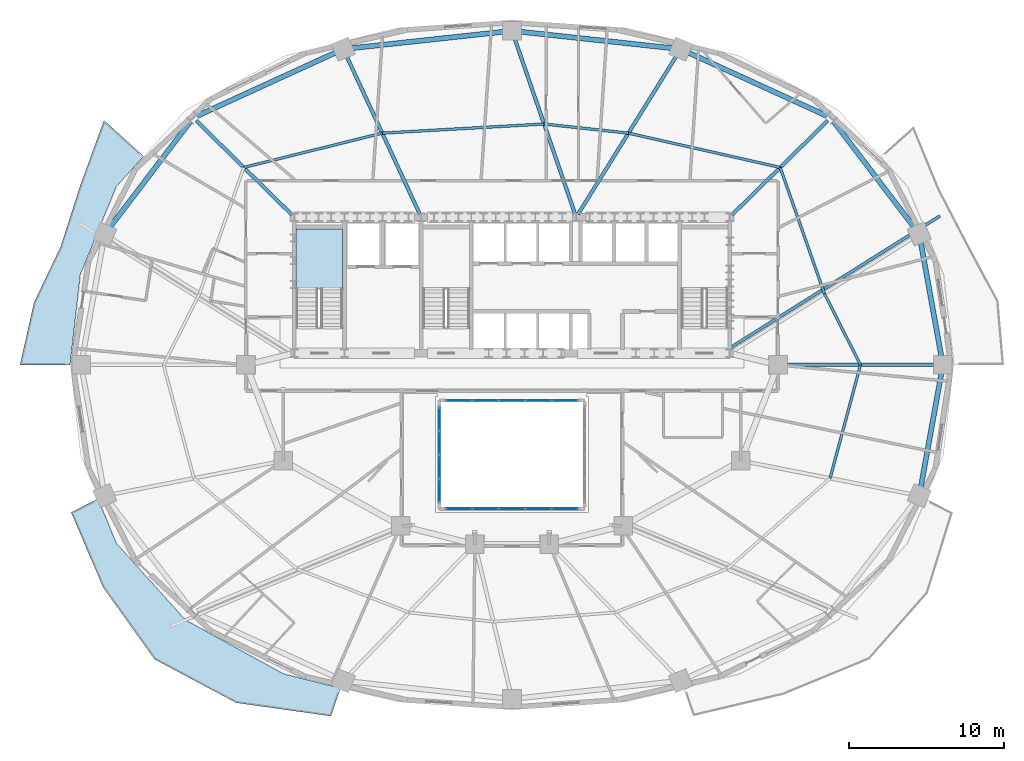
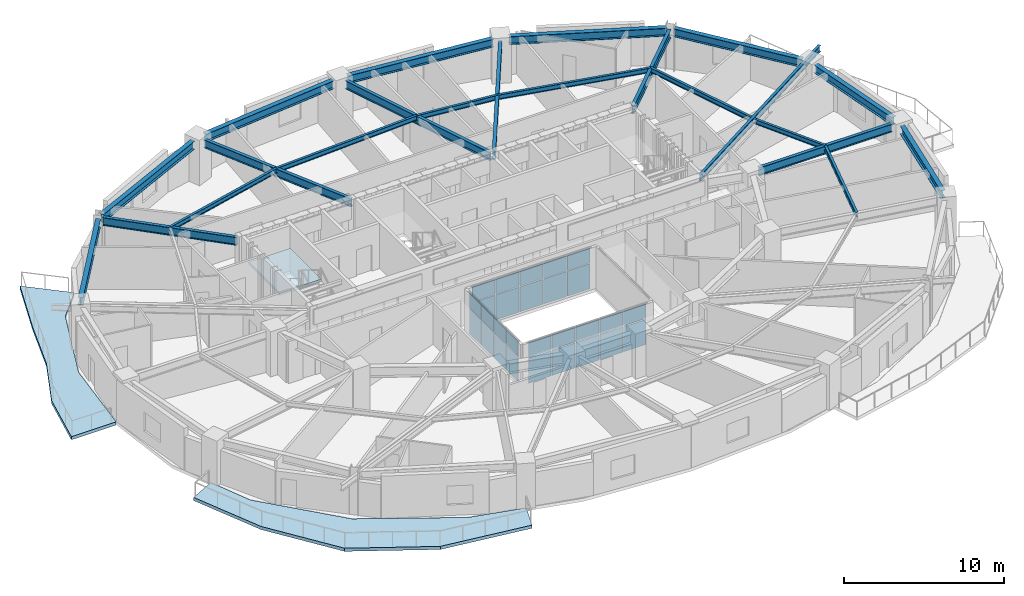
# One storey, part 5 of 14: 28 plates, 22 beams, 3 slabs, 4 elements without a shape of their own.
"""IFC4 building model written with IfcOpenShell, lengths in metres."""

from ifc_helpers import new_model, si_unit, direction, frame, origin, origin_2d, place, context, subcontext, project, spatial, polyline, rectangle, i_section, outline, extrude, material, layer, layer_set, material_profile, profile_set, type_object, element, aggregate, save


model = new_model("IFC4")

# Units and contexts
model_context = context("Model", 3, precision=1e-05, world=origin(), true_north=direction((0.0, 1.0)))
body_context = subcontext(model_context, "Body", "Model", "MODEL_VIEW")
ifc_project = project(units=[si_unit("LENGTHUNIT", "METRE"), si_unit("AREAUNIT", "SQUARE_METRE"), si_unit("VOLUMEUNIT", "CUBIC_METRE"), si_unit("PLANEANGLEUNIT", "RADIAN"), si_unit("MASSUNIT", "GRAM", prefix="KILO")], contexts=[model_context])

# Site, building, storey
site_placement = place(None, origin())
site = spatial("IfcSite", under=ifc_project, at=site_placement, CompositionType="ELEMENT")
building_placement = place(site_placement, origin())
building = spatial("IfcBuilding", under=site, at=building_placement, Name="Haldorwick Loom Tower", CompositionType="ELEMENT")
storey_placement = place(building_placement, frame((0.0, 0.0, 99.050048828125)))
storey = spatial("IfcBuildingStorey", under=building, at=storey_placement, Name="L26", CompositionType="ELEMENT", Elevation=99.050048828125)

# Beams
ifc_material_1 = material(Name="Steel CSA G40.21 350W", Category="steel")
ifc_material_profile_1 = material_profile(ifc_material_1, i_section(OverallWidth=0.193115234375, OverallDepth=0.466064453125, WebThickness=0.011474609375, FlangeThickness=0.01904296875, at=origin_2d()), Name="W460X97", Category="steel")
ifc_profile_set_1 = profile_set([ifc_material_profile_1], Name="Steel CSA G40.21 350W")
beam_type_1 = type_object("IfcBeamType", Name="STR-BM-BAL460", PredefinedType="BEAM", material=ifc_profile_set_1)
beam_1_placement = place(storey_placement, frame((50.111572265625, 27.106689453125, 2.97705078125), z_axis=(0.846609845451, 0.532214026108, 0.0), x_axis=(-0.532214026108, 0.846609845451, 0.0)))
element("IfcBeam", 1, at=beam_1_placement, inside=storey, type_object=beam_type_1, Name="L26 Continuous Back-Spanned Balcony Beam 4", PredefinedType="BEAM", context=body_context, shape_type="SweptSolid", body=[
    extrude(i_section(OverallWidth=0.193115234375, OverallDepth=0.466064453125, WebThickness=0.011474609375, FlangeThickness=0.01904296875, at=origin_2d()), origin(), (0.0, 0.0, 1.0), 16.0068359375),
])
ifc_material_profile_2 = material_profile(ifc_material_1, i_section(OverallWidth=0.172119140625, OverallDepth=0.35791015625, WebThickness=0.0078125, FlangeThickness=0.01318359375, at=origin_2d()), Name="W360X57", Category="steel")
ifc_profile_set_2 = profile_set([ifc_material_profile_2], Name="Steel CSA G40.21 350W")
beam_type_2 = type_object("IfcBeamType", Name="STR-BM-J360", PredefinedType="JOIST", material=ifc_profile_set_2)
beam_2_placement = place(storey_placement, frame((58.52880859375, 26.0, 3.031005859375), z_axis=(-0.451373231558, 0.892335254169, 0.0), x_axis=(-0.892335254169, -0.451373231558, 0.0)))
element("IfcBeam", 2, at=beam_2_placement, inside=storey, type_object=beam_type_2, Name="L26 Mid-Bay Secondary Joist 1", PredefinedType="JOIST", context=body_context, shape_type="SweptSolid", body=[
    extrude(i_section(OverallWidth=0.172119140625, OverallDepth=0.35791015625, WebThickness=0.0078125, FlangeThickness=0.01318359375, at=origin_2d()), origin(), (0.0, 0.0, 1.0), 5.158935546875),
])
beam_3_placement = place(storey_placement, frame((56.2001953125, 30.603515625, 3.031005859375), z_axis=(-0.330864603503, 0.943678236556, 0.0), x_axis=(-0.943678236556, -0.330864603503, 0.0)))
element("IfcBeam", 3, at=beam_3_placement, inside=storey, type_object=beam_type_2, Name="L26 Mid-Bay Secondary Joist 2", PredefinedType="JOIST", context=body_context, shape_type="SweptSolid", body=[
    extrude(i_section(OverallWidth=0.172119140625, OverallDepth=0.35791015625, WebThickness=0.0078125, FlangeThickness=0.01318359375, at=origin_2d()), origin(), (0.0, 0.0, 1.0), 8.6494140625),
])
beam_4_placement = place(storey_placement, frame((53.33837890625, 38.765869140625, 3.031005859375), z_axis=(-0.975380231772, 0.22052982444, 0.0), x_axis=(-0.22052982444, -0.975380231772, 0.0)))
element("IfcBeam", 4, at=beam_4_placement, inside=storey, type_object=beam_type_2, Name="L26 Mid-Bay Secondary Joist 3", PredefinedType="JOIST", context=body_context, shape_type="SweptSolid", body=[
    extrude(i_section(OverallWidth=0.172119140625, OverallDepth=0.35791015625, WebThickness=0.0078125, FlangeThickness=0.01318359375, at=origin_2d()), origin(), (0.0, 0.0, 1.0), 10.0576171875),
])
beam_5_placement = place(storey_placement, frame((43.5283203125, 40.98388671875, 3.031005859375), z_axis=(-0.994191869342, 0.107622148904, 0.0), x_axis=(-0.107622148904, -0.994191869342, 0.0)))
element("IfcBeam", 5, at=beam_5_placement, inside=storey, type_object=beam_type_2, Name="L26 Mid-Bay Secondary Joist 4", PredefinedType="JOIST", context=body_context, shape_type="SweptSolid", body=[
    extrude(i_section(OverallWidth=0.172119140625, OverallDepth=0.35791015625, WebThickness=0.0078125, FlangeThickness=0.01318359375, at=origin_2d()), origin(), (0.0, 0.0, 1.0), 5.485107421875),
])
beam_6_placement = place(storey_placement, frame((38.074951171875, 41.57421875, 3.031005859375), z_axis=(-0.998412171013, -0.056330602457, 0.0), x_axis=(0.056330602457, -0.998412171013, 0.0)))
element("IfcBeam", 6, at=beam_6_placement, inside=storey, type_object=beam_type_2, Name="L26 Mid-Bay Secondary Joist 5", PredefinedType="JOIST", context=body_context, shape_type="SweptSolid", body=[
    extrude(i_section(OverallWidth=0.172119140625, OverallDepth=0.35791015625, WebThickness=0.0078125, FlangeThickness=0.01318359375, at=origin_2d()), origin(), (0.0, 0.0, 1.0), 10.479736328125),
])
beam_7_placement = place(storey_placement, frame((27.61181640625, 40.98388671875, 3.031005859375), z_axis=(-0.970638838364, -0.240541567009, 0.0), x_axis=(0.240541567009, -0.970638838364, 0.0)))
element("IfcBeam", 7, at=beam_7_placement, inside=storey, type_object=beam_type_2, Name="L26 Mid-Bay Secondary Joist 6", PredefinedType="JOIST", context=body_context, shape_type="SweptSolid", body=[
    extrude(i_section(OverallWidth=0.172119140625, OverallDepth=0.35791015625, WebThickness=0.0078125, FlangeThickness=0.01318359375, at=origin_2d()), origin(), (0.0, 0.0, 1.0), 9.220947265625),
])
beam_8_placement = place(storey_placement, frame((56.565185546875, 18.67138671875, 3.031005859375), z_axis=(0.258810072536, 0.965928230436, 0.0), x_axis=(-0.965928230436, 0.258810072536, 0.0)))
element("IfcBeam", 8, at=beam_8_placement, inside=storey, type_object=beam_type_2, Name="L26 Mid-Bay Secondary Joist 16", PredefinedType="JOIST", context=body_context, shape_type="SweptSolid", body=[
    extrude(i_section(OverallWidth=0.172119140625, OverallDepth=0.35791015625, WebThickness=0.0078125, FlangeThickness=0.01318359375, at=origin_2d()), origin(), (0.0, 0.0, 1.0), 7.587158203125),
])
ifc_material_profile_3 = material_profile(ifc_material_1, i_section(OverallWidth=0.324951171875, OverallDepth=0.615966796875, WebThickness=0.013916015625, FlangeThickness=0.021484375, at=origin_2d()), Name="W610X174", Category="steel")
ifc_profile_set_3 = profile_set([ifc_material_profile_3], Name="Steel CSA G40.21 350W")
beam_type_3 = type_object("IfcBeamType", Name="STR-BM-SP610", PredefinedType="SPANDREL", material=ifc_profile_set_3)
beam_9_placement = place(storey_placement, frame((63.76513671875, 26.51171875, 2.90185546875), z_axis=(-0.177659490888, 0.984092020747, 0.0), x_axis=(-0.984092020747, -0.177659490888, 0.0)))
element("IfcBeam", 9, at=beam_9_placement, inside=storey, type_object=beam_type_3, Name="L26 Perimeter Spandrel 1", PredefinedType="SPANDREL", context=body_context, shape_type="SweptSolid", body=[
    extrude(i_section(OverallWidth=0.324951171875, OverallDepth=0.615966796875, WebThickness=0.013916015625, FlangeThickness=0.021484375, at=origin_2d()), origin(), (0.0, 0.0, 1.0), 7.553955078125),
])
beam_10_placement = place(storey_placement, frame((62.015869140625, 34.87109375, 2.90185546875), z_axis=(-0.605453508047, 0.795880675475, 0.0), x_axis=(-0.795880675475, -0.605453508047, 0.0)))
element("IfcBeam", 10, at=beam_10_placement, inside=storey, type_object=beam_type_3, Name="L26 Perimeter Spandrel 2", PredefinedType="SPANDREL", context=body_context, shape_type="SweptSolid", body=[
    extrude(i_section(OverallWidth=0.324951171875, OverallDepth=0.615966796875, WebThickness=0.013916015625, FlangeThickness=0.021484375, at=origin_2d()), origin(), (0.0, 0.0, 1.0), 8.6591796875),
])
beam_11_placement = place(storey_placement, frame((56.356689453125, 42.09619140625, 2.90185546875), z_axis=(-0.909423969306, 0.415870225011, 0.0), x_axis=(-0.415870225011, -0.909423969306, 0.0)))
element("IfcBeam", 11, at=beam_11_placement, inside=storey, type_object=beam_type_3, Name="L26 Perimeter Spandrel 3", PredefinedType="SPANDREL", context=body_context, shape_type="SweptSolid", body=[
    extrude(i_section(OverallWidth=0.324951171875, OverallDepth=0.615966796875, WebThickness=0.013916015625, FlangeThickness=0.021484375, at=origin_2d()), origin(), (0.0, 0.0, 1.0), 9.871337890625),
])
for number, where, z_axis, x_axis, name in (
    (12, (46.389404296875, 46.4736328125, 2.90185546875), (-0.994190135627, 0.107638163409, 0.0), (-0.107638163409, -0.994190135627, 0.0), "L26 Perimeter Spandrel 4"),
    (13, (35.48291015625, 47.54248046875, 2.90185546875), (-0.994190135627, -0.107638163409, 0.0), (0.107638163409, -0.994190135627, 0.0), "L26 Perimeter Spandrel 5"),
):
    element("IfcBeam", number, at=place(storey_placement, frame(where, z_axis=z_axis, x_axis=x_axis)), inside=storey, type_object=beam_type_3, Name=name, PredefinedType="SPANDREL", context=body_context, shape_type="SweptSolid", body=[
        extrude(i_section(OverallWidth=0.324951171875, OverallDepth=0.615966796875, WebThickness=0.013916015625, FlangeThickness=0.021484375, at=origin_2d()), origin(), (0.0, 0.0, 1.0), 9.929931640625),
    ])
beam_12_placement = place(storey_placement, frame((24.62060546875, 46.201416015625, 2.90185546875), z_axis=(-0.909423969306, -0.415870225011, 0.0), x_axis=(0.415870225011, -0.909423969306, 0.0)))
element("IfcBeam", 14, at=beam_12_placement, inside=storey, type_object=beam_type_3, Name="L26 Perimeter Spandrel 6", PredefinedType="SPANDREL", context=body_context, shape_type="SweptSolid", body=[
    extrude(i_section(OverallWidth=0.324951171875, OverallDepth=0.615966796875, WebThickness=0.013916015625, FlangeThickness=0.021484375, at=origin_2d()), origin(), (0.0, 0.0, 1.0), 9.871337890625),
])
beam_13_placement = place(storey_placement, frame((15.226806640625, 41.7626953125, 2.90185546875), z_axis=(-0.605453508047, -0.795880675475, 0.0), x_axis=(0.795880675475, -0.605453508047, 0.0)))
element("IfcBeam", 15, at=beam_13_placement, inside=storey, type_object=beam_type_3, Name="L26 Perimeter Spandrel 7", PredefinedType="SPANDREL", context=body_context, shape_type="SweptSolid", body=[
    extrude(i_section(OverallWidth=0.324951171875, OverallDepth=0.615966796875, WebThickness=0.013916015625, FlangeThickness=0.021484375, at=origin_2d()), origin(), (0.0, 0.0, 1.0), 8.6591796875),
])
beam_14_placement = place(storey_placement, frame((62.423095703125, 18.054443359375, 2.90185546875), z_axis=(0.177659490888, 0.984092020747, 0.0), x_axis=(-0.984092020747, 0.177659490888, 0.0)))
element("IfcBeam", 16, at=beam_14_placement, inside=storey, type_object=beam_type_3, Name="L26 Perimeter Spandrel 16", PredefinedType="SPANDREL", context=body_context, shape_type="SweptSolid", body=[
    extrude(i_section(OverallWidth=0.324951171875, OverallDepth=0.615966796875, WebThickness=0.013916015625, FlangeThickness=0.021484375, at=origin_2d()), origin(), (0.0, 0.0, 1.0), 7.553955078125),
])
ifc_material_profile_4 = material_profile(ifc_material_1, i_section(OverallWidth=0.22998046875, OverallDepth=0.616943359375, WebThickness=0.01318359375, FlangeThickness=0.022216796875, at=origin_2d()), Name="W610X140", Category="steel")
ifc_profile_set_4 = profile_set([ifc_material_profile_4], Name="Steel CSA G40.21 350W")
beam_type_4 = type_object("IfcBeamType", Name="STR-BM-W610B", PredefinedType="BEAM", material=ifc_profile_set_4)
beam_15_placement = place(storey_placement, frame((53.719970703125, 26.0, 2.9013671875), z_axis=(1.0, 0.0, 0.0), x_axis=(0.0, 1.0, 0.0)))
element("IfcBeam", 17, at=beam_15_placement, inside=storey, type_object=beam_type_4, Name="L26 Radial Floor Girder 1", PredefinedType="BEAM", context=body_context, shape_type="SweptSolid", body=[
    extrude(i_section(OverallWidth=0.22998046875, OverallDepth=0.616943359375, WebThickness=0.01318359375, FlangeThickness=0.022216796875, at=origin_2d()), origin(), (0.0, 0.0, 1.0), 9.61767578125),
])
beam_16_placement = place(storey_placement, frame((50.23046875, 35.707763671875, 2.9013671875), z_axis=(0.712813667541, 0.701353459653, 0.0), x_axis=(-0.701353459653, 0.712813667541, 0.0)))
element("IfcBeam", 18, at=beam_16_placement, inside=storey, type_object=beam_type_4, Name="L26 Radial Floor Girder 3", PredefinedType="BEAM", context=body_context, shape_type="SweptSolid", body=[
    extrude(i_section(OverallWidth=0.22998046875, OverallDepth=0.616943359375, WebThickness=0.01318359375, FlangeThickness=0.022216796875, at=origin_2d()), origin(), (0.0, 0.0, 1.0), 8.67041015625),
])
beam_17_placement = place(storey_placement, frame((40.268798828125, 35.7412109375, 2.9013671875), z_axis=(0.527983484361, 0.849254638046, 0.0), x_axis=(-0.849254638046, 0.527983484361, 0.0)))
element("IfcBeam", 19, at=beam_17_placement, inside=storey, type_object=beam_type_4, Name="L26 Radial Floor Girder 4", PredefinedType="BEAM", context=body_context, shape_type="SweptSolid", body=[
    extrude(i_section(OverallWidth=0.22998046875, OverallDepth=0.616943359375, WebThickness=0.01318359375, FlangeThickness=0.022216796875, at=origin_2d()), origin(), (0.0, 0.0, 1.0), 12.051513671875),
])
beam_18_placement = place(storey_placement, frame((40.07666015625, 35.7626953125, 2.9013671875), z_axis=(-0.325673980289, 0.945482130218, 0.0), x_axis=(-0.945482130218, -0.325673980289, 0.0)))
element("IfcBeam", 20, at=beam_18_placement, inside=storey, type_object=beam_type_4, Name="L26 Radial Floor Girder 5", PredefinedType="BEAM", context=body_context, shape_type="SweptSolid", body=[
    extrude(i_section(OverallWidth=0.22998046875, OverallDepth=0.616943359375, WebThickness=0.01318359375, FlangeThickness=0.022216796875, at=origin_2d()), origin(), (0.0, 0.0, 1.0), 11.998046875),
])
beam_19_placement = place(storey_placement, frame((30.035400390625, 35.754150390625, 2.9013671875), z_axis=(-0.420492432459, 0.907296045536, 0.0), x_axis=(-0.907296045536, -0.420492432459, 0.0)))
element("IfcBeam", 21, at=beam_19_placement, inside=storey, type_object=beam_type_4, Name="L26 Radial Floor Girder 6", PredefinedType="BEAM", context=body_context, shape_type="SweptSolid", body=[
    extrude(i_section(OverallWidth=0.22998046875, OverallDepth=0.616943359375, WebThickness=0.01318359375, FlangeThickness=0.022216796875, at=origin_2d()), origin(), (0.0, 0.0, 1.0), 11.23291015625),
])
beam_20_placement = place(storey_placement, frame((21.76953125, 35.707763671875, 2.9013671875), z_axis=(-0.712813667541, 0.701353459653, 0.0), x_axis=(-0.701353459653, -0.712813667541, 0.0)))
element("IfcBeam", 22, at=beam_20_placement, inside=storey, type_object=beam_type_4, Name="L26 Radial Floor Girder 7", PredefinedType="BEAM", context=body_context, shape_type="SweptSolid", body=[
    extrude(i_section(OverallWidth=0.22998046875, OverallDepth=0.616943359375, WebThickness=0.01318359375, FlangeThickness=0.022216796875, at=origin_2d()), origin(), (0.0, 0.0, 1.0), 8.67041015625),
])

# Curtain wall, plates
ifc_material_2 = material(Name="Thermally Broken Anodized Aluminium Curtain Wall Framing", Category="aluminium")
curtain_wall_type = type_object("IfcCurtainWallType", Name="ARC-CW-03", PredefinedType="NOTDEFINED", material=ifc_material_2)
curtain_wall_1_placement = place(storey_placement, origin())
curtain_wall_1 = element("IfcCurtainWall", 23, at=curtain_wall_1_placement, inside=storey, type_object=curtain_wall_type, Name="L26 Atrium Glazed Screen S", PredefinedType="NOTDEFINED")
ifc_material_3 = material(Name="Triple-Glazed Low-E Argon Insulated Glazing Unit", Category="glass")
ifc_layer_1 = layer(ifc_material_3, 0.04296875, Name="Triple-Glazed Low-E Argon Insulated Glazing Unit", Category="glass")
ifc_layer_set_1 = layer_set([ifc_layer_1], Name="Triple-Glazed Low-E Argon Insulated Glazing Unit")
plate_type = type_object("IfcPlateType", Name="ARC-CWP-03", PredefinedType="CURTAIN_PANEL", material=ifc_layer_set_1)
plate_1_placement = place(storey_placement, frame((39.423583984375, 16.699951171875, 0.06591796875), z_axis=(0.0, 0.0, 1.0), x_axis=(-1.0, 0.0, 0.0)))
plate_1 = element("IfcPlate", 24, at=plate_1_placement, type_object=plate_type, Name="CW-03 panel 1.1", PredefinedType="CURTAIN_PANEL", context=body_context, shape_type="SweptSolid", body=[
    extrude(rectangle(XDim=1.62109375, YDim=0.04296875, at=origin_2d()), origin(), (0.0, 0.0, 1.0), 1.90087890625),
])
plate_2_placement = place(storey_placement, frame((39.423583984375, 16.699951171875, 2.03271484375), z_axis=(0.0, 0.0, 1.0), x_axis=(-1.0, 0.0, 0.0)))
plate_2 = element("IfcPlate", 25, at=plate_2_placement, type_object=plate_type, Name="CW-03 panel 1.2", PredefinedType="CURTAIN_PANEL", context=body_context, shape_type="SweptSolid", body=[
    extrude(rectangle(XDim=1.62109375, YDim=0.04296875, at=origin_2d()), origin(), (0.0, 0.0, 1.0), 1.111083984375),
])
plate_3_placement = place(storey_placement, frame((37.719970703125, 16.699951171875, 0.06591796875), z_axis=(0.0, 0.0, 1.0), x_axis=(-1.0, 0.0, 0.0)))
plate_3 = element("IfcPlate", 26, at=plate_3_placement, type_object=plate_type, Name="CW-03 panel 2.1", PredefinedType="CURTAIN_PANEL", context=body_context, shape_type="SweptSolid", body=[
    extrude(rectangle(XDim=1.654052734375, YDim=0.04296875, at=origin_2d()), origin(), (0.0, 0.0, 1.0), 1.90087890625),
])
plate_4_placement = place(storey_placement, frame((37.719970703125, 16.699951171875, 2.03271484375), z_axis=(0.0, 0.0, 1.0), x_axis=(-1.0, 0.0, 0.0)))
plate_4 = element("IfcPlate", 27, at=plate_4_placement, type_object=plate_type, Name="CW-03 panel 2.2", PredefinedType="CURTAIN_PANEL", context=body_context, shape_type="SweptSolid", body=[
    extrude(rectangle(XDim=1.654052734375, YDim=0.04296875, at=origin_2d()), origin(), (0.0, 0.0, 1.0), 1.111083984375),
])
plate_5_placement = place(storey_placement, frame((36.0, 16.699951171875, 0.06591796875), z_axis=(0.0, 0.0, 1.0), x_axis=(-1.0, 0.0, 0.0)))
plate_5 = element("IfcPlate", 28, at=plate_5_placement, type_object=plate_type, Name="CW-03 panel 3.1", PredefinedType="CURTAIN_PANEL", context=body_context, shape_type="SweptSolid", body=[
    extrude(rectangle(XDim=1.654052734375, YDim=0.04296875, at=origin_2d()), origin(), (0.0, 0.0, 1.0), 1.90087890625),
])
plate_6_placement = place(storey_placement, frame((36.0, 16.699951171875, 2.03271484375), z_axis=(0.0, 0.0, 1.0), x_axis=(-1.0, 0.0, 0.0)))
plate_6 = element("IfcPlate", 29, at=plate_6_placement, type_object=plate_type, Name="CW-03 panel 3.2", PredefinedType="CURTAIN_PANEL", context=body_context, shape_type="SweptSolid", body=[
    extrude(rectangle(XDim=1.654052734375, YDim=0.04296875, at=origin_2d()), origin(), (0.0, 0.0, 1.0), 1.111083984375),
])
plate_7_placement = place(storey_placement, frame((34.280029296875, 16.699951171875, 0.06591796875), z_axis=(0.0, 0.0, 1.0), x_axis=(-1.0, 0.0, 0.0)))
plate_7 = element("IfcPlate", 30, at=plate_7_placement, type_object=plate_type, Name="CW-03 panel 4.1", PredefinedType="CURTAIN_PANEL", context=body_context, shape_type="SweptSolid", body=[
    extrude(rectangle(XDim=1.654052734375, YDim=0.04296875, at=origin_2d()), origin(), (0.0, 0.0, 1.0), 1.90087890625),
])
plate_8_placement = place(storey_placement, frame((34.280029296875, 16.699951171875, 2.03271484375), z_axis=(0.0, 0.0, 1.0), x_axis=(-1.0, 0.0, 0.0)))
plate_8 = element("IfcPlate", 31, at=plate_8_placement, type_object=plate_type, Name="CW-03 panel 4.2", PredefinedType="CURTAIN_PANEL", context=body_context, shape_type="SweptSolid", body=[
    extrude(rectangle(XDim=1.654052734375, YDim=0.04296875, at=origin_2d()), origin(), (0.0, 0.0, 1.0), 1.111083984375),
])
plate_9_placement = place(storey_placement, frame((32.576416015625, 16.699951171875, 0.06591796875), z_axis=(0.0, 0.0, 1.0), x_axis=(-1.0, 0.0, 0.0)))
plate_9 = element("IfcPlate", 32, at=plate_9_placement, type_object=plate_type, Name="CW-03 panel 5.1", PredefinedType="CURTAIN_PANEL", context=body_context, shape_type="SweptSolid", body=[
    extrude(rectangle(XDim=1.62109375, YDim=0.04296875, at=origin_2d()), origin(), (0.0, 0.0, 1.0), 1.90087890625),
])
plate_10_placement = place(storey_placement, frame((32.576416015625, 16.699951171875, 2.03271484375), z_axis=(0.0, 0.0, 1.0), x_axis=(-1.0, 0.0, 0.0)))
plate_10 = element("IfcPlate", 33, at=plate_10_placement, type_object=plate_type, Name="CW-03 panel 5.2", PredefinedType="CURTAIN_PANEL", context=body_context, shape_type="SweptSolid", body=[
    extrude(rectangle(XDim=1.62109375, YDim=0.04296875, at=origin_2d()), origin(), (0.0, 0.0, 1.0), 1.111083984375),
])
aggregate(curtain_wall_1, [plate_1, plate_2, plate_3, plate_4, plate_5, plate_6, plate_7, plate_8, plate_9, plate_10])

curtain_wall_2_placement = place(storey_placement, origin())
curtain_wall_2 = element("IfcCurtainWall", 34, at=curtain_wall_2_placement, inside=storey, type_object=curtain_wall_type, Name="L26 Atrium Glazed Screen N", PredefinedType="NOTDEFINED")
plate_11_placement = place(storey_placement, frame((32.576416015625, 23.699951171875, 0.06591796875), z_axis=(0.0, 0.0, 1.0), x_axis=(1.0, 0.0, 0.0)))
plate_11 = element("IfcPlate", 35, at=plate_11_placement, type_object=plate_type, Name="CW-03 panel 1.1", PredefinedType="CURTAIN_PANEL", context=body_context, shape_type="SweptSolid", body=[
    extrude(rectangle(XDim=1.62109375, YDim=0.04296875, at=origin_2d()), origin(), (0.0, 0.0, 1.0), 1.90087890625),
])
plate_12_placement = place(storey_placement, frame((32.576416015625, 23.699951171875, 2.03271484375), z_axis=(0.0, 0.0, 1.0), x_axis=(1.0, 0.0, 0.0)))
plate_12 = element("IfcPlate", 36, at=plate_12_placement, type_object=plate_type, Name="CW-03 panel 1.2", PredefinedType="CURTAIN_PANEL", context=body_context, shape_type="SweptSolid", body=[
    extrude(rectangle(XDim=1.62109375, YDim=0.04296875, at=origin_2d()), origin(), (0.0, 0.0, 1.0), 1.111083984375),
])
plate_13_placement = place(storey_placement, frame((34.280029296875, 23.699951171875, 0.06591796875), z_axis=(0.0, 0.0, 1.0), x_axis=(1.0, 0.0, 0.0)))
plate_13 = element("IfcPlate", 37, at=plate_13_placement, type_object=plate_type, Name="CW-03 panel 2.1", PredefinedType="CURTAIN_PANEL", context=body_context, shape_type="SweptSolid", body=[
    extrude(rectangle(XDim=1.654052734375, YDim=0.04296875, at=origin_2d()), origin(), (0.0, 0.0, 1.0), 1.90087890625),
])
plate_14_placement = place(storey_placement, frame((34.280029296875, 23.699951171875, 2.03271484375), z_axis=(0.0, 0.0, 1.0), x_axis=(1.0, 0.0, 0.0)))
plate_14 = element("IfcPlate", 38, at=plate_14_placement, type_object=plate_type, Name="CW-03 panel 2.2", PredefinedType="CURTAIN_PANEL", context=body_context, shape_type="SweptSolid", body=[
    extrude(rectangle(XDim=1.654052734375, YDim=0.04296875, at=origin_2d()), origin(), (0.0, 0.0, 1.0), 1.111083984375),
])
plate_15_placement = place(storey_placement, frame((36.0, 23.699951171875, 0.06591796875), z_axis=(0.0, 0.0, 1.0), x_axis=(1.0, 0.0, 0.0)))
plate_15 = element("IfcPlate", 39, at=plate_15_placement, type_object=plate_type, Name="CW-03 panel 3.1", PredefinedType="CURTAIN_PANEL", context=body_context, shape_type="SweptSolid", body=[
    extrude(rectangle(XDim=1.654052734375, YDim=0.04296875, at=origin_2d()), origin(), (0.0, 0.0, 1.0), 1.90087890625),
])
plate_16_placement = place(storey_placement, frame((36.0, 23.699951171875, 2.03271484375), z_axis=(0.0, 0.0, 1.0), x_axis=(1.0, 0.0, 0.0)))
plate_16 = element("IfcPlate", 40, at=plate_16_placement, type_object=plate_type, Name="CW-03 panel 3.2", PredefinedType="CURTAIN_PANEL", context=body_context, shape_type="SweptSolid", body=[
    extrude(rectangle(XDim=1.654052734375, YDim=0.04296875, at=origin_2d()), origin(), (0.0, 0.0, 1.0), 1.111083984375),
])
plate_17_placement = place(storey_placement, frame((37.719970703125, 23.699951171875, 0.06591796875), z_axis=(0.0, 0.0, 1.0), x_axis=(1.0, 0.0, 0.0)))
plate_17 = element("IfcPlate", 41, at=plate_17_placement, type_object=plate_type, Name="CW-03 panel 4.1", PredefinedType="CURTAIN_PANEL", context=body_context, shape_type="SweptSolid", body=[
    extrude(rectangle(XDim=1.654052734375, YDim=0.04296875, at=origin_2d()), origin(), (0.0, 0.0, 1.0), 1.90087890625),
])
plate_18_placement = place(storey_placement, frame((37.719970703125, 23.699951171875, 2.03271484375), z_axis=(0.0, 0.0, 1.0), x_axis=(1.0, 0.0, 0.0)))
plate_18 = element("IfcPlate", 42, at=plate_18_placement, type_object=plate_type, Name="CW-03 panel 4.2", PredefinedType="CURTAIN_PANEL", context=body_context, shape_type="SweptSolid", body=[
    extrude(rectangle(XDim=1.654052734375, YDim=0.04296875, at=origin_2d()), origin(), (0.0, 0.0, 1.0), 1.111083984375),
])
plate_19_placement = place(storey_placement, frame((39.423583984375, 23.699951171875, 0.06591796875), z_axis=(0.0, 0.0, 1.0), x_axis=(1.0, 0.0, 0.0)))
plate_19 = element("IfcPlate", 43, at=plate_19_placement, type_object=plate_type, Name="CW-03 panel 5.1", PredefinedType="CURTAIN_PANEL", context=body_context, shape_type="SweptSolid", body=[
    extrude(rectangle(XDim=1.62109375, YDim=0.04296875, at=origin_2d()), origin(), (0.0, 0.0, 1.0), 1.90087890625),
])
plate_20_placement = place(storey_placement, frame((39.423583984375, 23.699951171875, 2.03271484375), z_axis=(0.0, 0.0, 1.0), x_axis=(1.0, 0.0, 0.0)))
plate_20 = element("IfcPlate", 44, at=plate_20_placement, type_object=plate_type, Name="CW-03 panel 5.2", PredefinedType="CURTAIN_PANEL", context=body_context, shape_type="SweptSolid", body=[
    extrude(rectangle(XDim=1.62109375, YDim=0.04296875, at=origin_2d()), origin(), (0.0, 0.0, 1.0), 1.111083984375),
])
aggregate(curtain_wall_2, [plate_11, plate_12, plate_13, plate_14, plate_15, plate_16, plate_17, plate_18, plate_19, plate_20])

curtain_wall_3_placement = place(storey_placement, origin())
curtain_wall_3 = element("IfcCurtainWall", 45, at=curtain_wall_3_placement, inside=storey, type_object=curtain_wall_type, Name="L26 Atrium Glazed Screen W", PredefinedType="NOTDEFINED")
plate_21_placement = place(storey_placement, frame((31.300048828125, 17.8916015625, 0.06591796875), z_axis=(0.0, 0.0, 1.0), x_axis=(0.0, 1.0, 0.0)))
plate_21 = element("IfcPlate", 46, at=plate_21_placement, type_object=plate_type, Name="CW-03 panel 1.1", PredefinedType="CURTAIN_PANEL", context=body_context, shape_type="SweptSolid", body=[
    extrude(rectangle(XDim=1.450927734375, YDim=0.04296875, at=origin_2d()), origin(), (0.0, 0.0, 1.0), 1.90087890625),
])
plate_22_placement = place(storey_placement, frame((31.300048828125, 17.8916015625, 2.03271484375), z_axis=(0.0, 0.0, 1.0), x_axis=(0.0, 1.0, 0.0)))
plate_22 = element("IfcPlate", 47, at=plate_22_placement, type_object=plate_type, Name="CW-03 panel 1.2", PredefinedType="CURTAIN_PANEL", context=body_context, shape_type="SweptSolid", body=[
    extrude(rectangle(XDim=1.450927734375, YDim=0.04296875, at=origin_2d()), origin(), (0.0, 0.0, 1.0), 1.111083984375),
])
plate_23_placement = place(storey_placement, frame((31.300048828125, 19.425048828125, 0.06591796875), z_axis=(0.0, 0.0, 1.0), x_axis=(0.0, 1.0, 0.0)))
plate_23 = element("IfcPlate", 48, at=plate_23_placement, type_object=plate_type, Name="CW-03 panel 2.1", PredefinedType="CURTAIN_PANEL", context=body_context, shape_type="SweptSolid", body=[
    extrude(rectangle(XDim=1.48388671875, YDim=0.04296875, at=origin_2d()), origin(), (0.0, 0.0, 1.0), 1.90087890625),
])
plate_24_placement = place(storey_placement, frame((31.300048828125, 19.425048828125, 2.03271484375), z_axis=(0.0, 0.0, 1.0), x_axis=(0.0, 1.0, 0.0)))
plate_24 = element("IfcPlate", 49, at=plate_24_placement, type_object=plate_type, Name="CW-03 panel 2.2", PredefinedType="CURTAIN_PANEL", context=body_context, shape_type="SweptSolid", body=[
    extrude(rectangle(XDim=1.48388671875, YDim=0.04296875, at=origin_2d()), origin(), (0.0, 0.0, 1.0), 1.111083984375),
])
plate_25_placement = place(storey_placement, frame((31.300048828125, 20.97509765625, 0.06591796875), z_axis=(0.0, 0.0, 1.0), x_axis=(0.0, 1.0, 0.0)))
plate_25 = element("IfcPlate", 50, at=plate_25_placement, type_object=plate_type, Name="CW-03 panel 3.1", PredefinedType="CURTAIN_PANEL", context=body_context, shape_type="SweptSolid", body=[
    extrude(rectangle(XDim=1.48388671875, YDim=0.04296875, at=origin_2d()), origin(), (0.0, 0.0, 1.0), 1.90087890625),
])
plate_26_placement = place(storey_placement, frame((31.300048828125, 20.97509765625, 2.03271484375), z_axis=(0.0, 0.0, 1.0), x_axis=(0.0, 1.0, 0.0)))
plate_26 = element("IfcPlate", 51, at=plate_26_placement, type_object=plate_type, Name="CW-03 panel 3.2", PredefinedType="CURTAIN_PANEL", context=body_context, shape_type="SweptSolid", body=[
    extrude(rectangle(XDim=1.48388671875, YDim=0.04296875, at=origin_2d()), origin(), (0.0, 0.0, 1.0), 1.111083984375),
])
plate_27_placement = place(storey_placement, frame((31.300048828125, 22.508544921875, 0.06591796875), z_axis=(0.0, 0.0, 1.0), x_axis=(0.0, 1.0, 0.0)))
plate_27 = element("IfcPlate", 52, at=plate_27_placement, type_object=plate_type, Name="CW-03 panel 4.1", PredefinedType="CURTAIN_PANEL", context=body_context, shape_type="SweptSolid", body=[
    extrude(rectangle(XDim=1.450927734375, YDim=0.04296875, at=origin_2d()), origin(), (0.0, 0.0, 1.0), 1.90087890625),
])
plate_28_placement = place(storey_placement, frame((31.300048828125, 22.508544921875, 2.03271484375), z_axis=(0.0, 0.0, 1.0), x_axis=(0.0, 1.0, 0.0)))
plate_28 = element("IfcPlate", 53, at=plate_28_placement, type_object=plate_type, Name="CW-03 panel 4.2", PredefinedType="CURTAIN_PANEL", context=body_context, shape_type="SweptSolid", body=[
    extrude(rectangle(XDim=1.450927734375, YDim=0.04296875, at=origin_2d()), origin(), (0.0, 0.0, 1.0), 1.111083984375),
])
aggregate(curtain_wall_3, [plate_21, plate_22, plate_23, plate_24, plate_25, plate_26, plate_27, plate_28])

# Slabs
ifc_material_4 = material(Name="Concrete C40 (40 MPa)", Category="concrete")
ifc_layer_2 = layer(ifc_material_4, 0.239990234375, Name="Concrete C40 (40 MPa)", Category="concrete")
ifc_layer_set_2 = layer_set([ifc_layer_2], Name="Concrete C40 (40 MPa)")
slab_type_1 = type_object("IfcSlabType", Name="STR-SLB-BAL240", PredefinedType="FLOOR", material=ifc_layer_set_2)
slab_1_placement = place(storey_placement, frame((0.0, 0.0, -0.239990234375)))
element("IfcSlab", 54, at=slab_1_placement, inside=storey, type_object=slab_type_1, Name="L26 Sinusoidal Balcony Terrace BAL_SW", PredefinedType="FLOOR", context=body_context, shape_type="SweptSolid", body=[
    extrude(outline(polyline([(24.912109375, 5.10546875), (21.23583984375, 6.022705078125), (21.234619140625, 6.023193359375), (21.2333984375, 6.023681640625), (21.232177734375, 6.0244140625), (14.89111328125, 9.51025390625), (14.8896484375, 9.510986328125), (14.88818359375, 9.51220703125), (14.88720703125, 9.51318359375), (10.4228515625, 14.464599609375), (10.421875, 14.465576171875), (10.421142578125, 14.466552734375), (10.420654296875, 14.4677734375), (10.419921875, 14.468994140625), (9.240966796875, 17.349609375), (7.49755859375, 16.4658203125), (9.568115234375, 11.616943359375), (12.898193359375, 6.961669921875), (18.172607421875, 4.155517578125), (24.294189453125, 3.292724609375), (24.912109375, 5.10546875)])), origin(), (0.0, 0.0, 1.0), 0.239990234375),
])
slab_2_placement = place(storey_placement, frame((0.0, 0.0, -0.239990234375)))
element("IfcSlab", 55, at=slab_2_placement, inside=storey, type_object=slab_type_1, Name="L26 Sinusoidal Balcony Terrace BAL_WNW", PredefinedType="FLOOR", context=body_context, shape_type="SweptSolid", body=[
    extrude(outline(polyline([(7.427490234375, 26.0), (7.427490234375, 26.001708984375), (8.09033203125, 31.837890625), (8.090576171875, 31.83935546875), (8.0908203125, 31.840576171875), (8.09130859375, 31.841796875), (10.419921875, 37.531005859375), (10.420654296875, 37.5322265625), (10.421142578125, 37.533447265625), (10.421875, 37.534423828125), (10.4228515625, 37.535400390625), (12.186767578125, 39.491943359375), (9.6220703125, 41.81201171875), (8.07080078125, 37.553466796875), (6.823974609375, 33.660888671875), (5.09521484375, 30.026123046875), (4.1923828125, 26.0), (7.427490234375, 26.0)])), origin(), (0.0, 0.0, 1.0), 0.239990234375),
])

# Stair, slab
stair_type = type_object("IfcStairType", Name="STR-STR-CORE", PredefinedType="HALF_TURN_STAIR", material=ifc_material_4)
stair_placement = place(storey_placement, origin())
stair = element("IfcStair", 56, at=stair_placement, inside=storey, type_object=stair_type, Name="L26 Exit Stair ST-01", PredefinedType="HALF_TURN_STAIR")
ifc_layer_3 = layer(ifc_material_4, 0.199951171875, Name="Concrete C40 (40 MPa)", Category="concrete")
ifc_layer_set_3 = layer_set([ifc_layer_3], Name="Concrete C40 (40 MPa)")
slab_type_2 = type_object("IfcSlabType", Name="STR-SLB-LAND200", PredefinedType="LANDING", material=ifc_layer_set_3)
slab_3_placement = place(storey_placement, frame((0.0, 0.0, 1.52490234375)))
slab_3 = element("IfcSlab", 57, at=slab_3_placement, type_object=slab_type_2, Name="ST-01 landing 1", PredefinedType="LANDING", context=body_context, shape_type="SweptSolid", body=[
    extrude(outline(polyline([(25.050048828125, 30.919921875), (25.050048828125, 34.800048828125), (22.050048828125, 34.800048828125), (22.050048828125, 30.919921875), (25.050048828125, 30.919921875)])), origin(), (0.0, 0.0, 1.0), 0.199951171875),
])
aggregate(stair, [slab_3])

save(model, "model.ifc")
